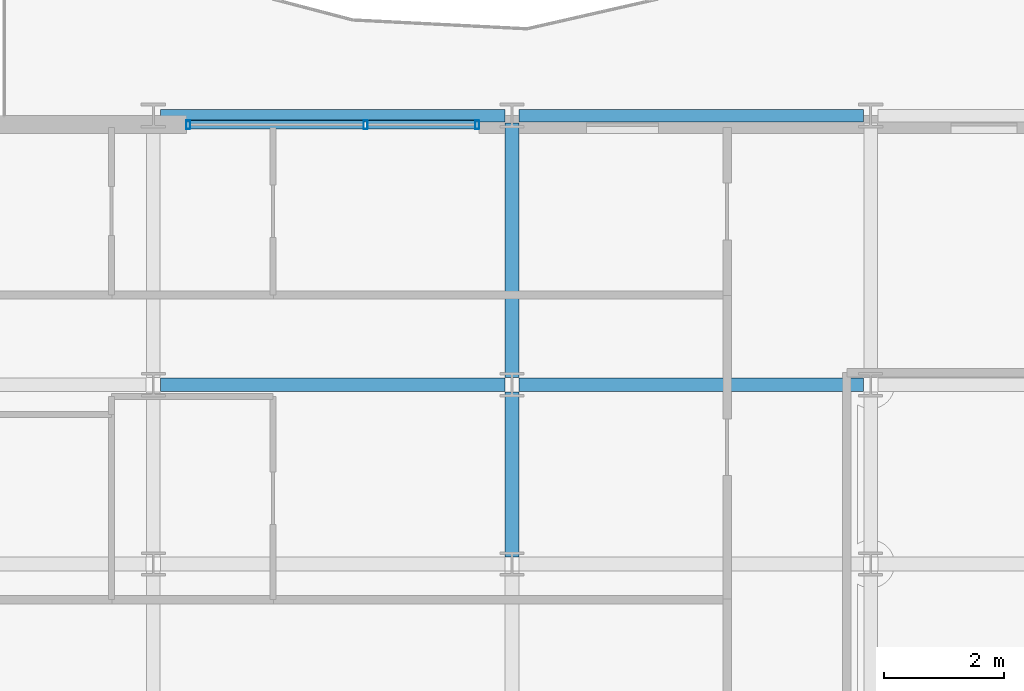
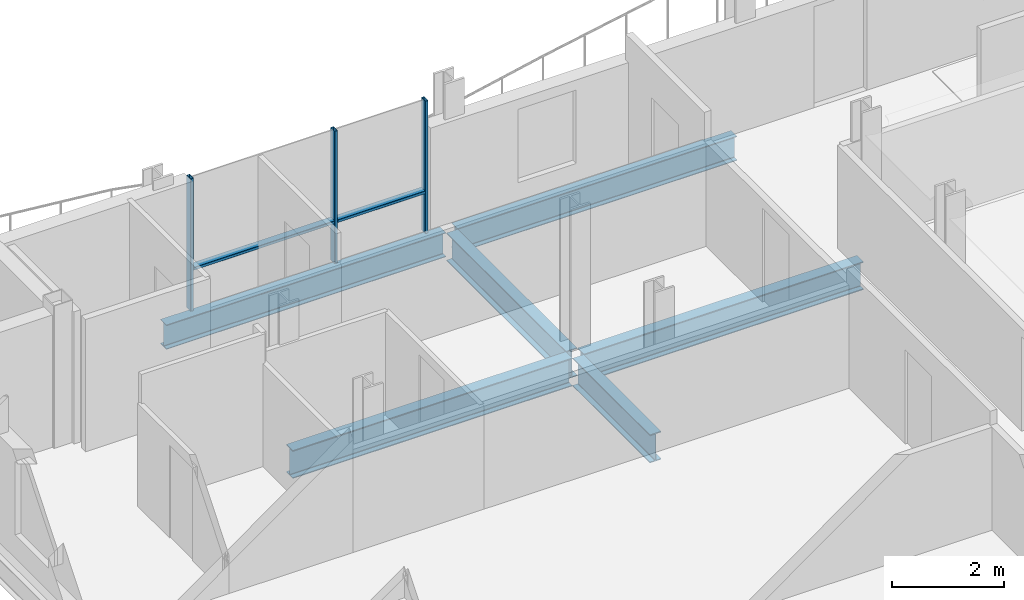
# One storey, part 9 of 39: 6 beams, 5 members, 1 element without a shape of its own.
"""IFC4 building model written with IfcOpenShell, lengths in metres."""

from ifc_helpers import new_model, si_unit, direction, frame, origin, origin_2d, place, context, subcontext, project, spatial, hollow_rectangle, i_section, extrude, material, layer, layer_set, material_profile, profile_set, type_object, element, aggregate, save


model = new_model("IFC4")

# Units and contexts
model_context = context("Model", 3, precision=1e-05, world=origin(), true_north=direction((0.0, 1.0)))
body_context = subcontext(model_context, "Body", "Model", "MODEL_VIEW")
ifc_project = project(units=[si_unit("LENGTHUNIT", "METRE"), si_unit("AREAUNIT", "SQUARE_METRE"), si_unit("VOLUMEUNIT", "CUBIC_METRE"), si_unit("PLANEANGLEUNIT", "RADIAN"), si_unit("MASSUNIT", "GRAM", prefix="KILO")], contexts=[model_context])

# Site, building, storey
site_placement = place(None, origin())
site = spatial("IfcSite", under=ifc_project, at=site_placement, CompositionType="ELEMENT")
building_placement = place(site_placement, origin())
building = spatial("IfcBuilding", under=site, at=building_placement, Name="Brevholm Reach", CompositionType="ELEMENT")
storey_placement = place(building_placement, frame((0.0, 0.0, 154.199951171875)))
storey = spatial("IfcBuildingStorey", under=building, at=storey_placement, Name="L46", CompositionType="ELEMENT", Elevation=154.199951171875)

# Beams
ifc_material_1 = material(Name="Structural Steel S355J2", Category="steel")
ifc_material_profile_1 = material_profile(ifc_material_1, i_section(OverallWidth=0.209228515625, OverallDepth=0.533203125, WebThickness=0.010009765625, FlangeThickness=0.015625, FilletRadius=0.0126953125, at=origin_2d()), Name="UKB 533x210x92")
ifc_profile_set_1 = profile_set([ifc_material_profile_1], Name="Structural Steel S355J2")
beam_type_1 = type_object("IfcBeamType", Name="BM-SP533", PredefinedType="SPANDREL", material=ifc_profile_set_1)
for number, where, z_axis, x_axis, name in (
    (1, (6.1201171875, 31.0, -0.486572265625), (1.0, 0.0, 0.0), (0.0, 1.0, 0.0), "L46 SP-02 Framing Beam"),
    (2, (12.1201171875, 31.0, -0.486572265625), (1.0, 0.0, 0.0), (0.0, 1.0, 0.0), "L46 SP-02 Framing Beam"),
):
    element("IfcBeam", number, at=place(storey_placement, frame(where, z_axis=z_axis, x_axis=x_axis)), inside=storey, type_object=beam_type_1, Name=name, PredefinedType="SPANDREL", context=body_context, shape_type="SweptSolid", body=[
        extrude(i_section(OverallWidth=0.209228515625, OverallDepth=0.533203125, WebThickness=0.010009765625, FlangeThickness=0.015625, FilletRadius=0.0126953125, at=origin_2d()), origin(), (0.0, 0.0, 1.0), 5.759765625),
    ])
ifc_material_2 = material(Name="Structural Steel S355J2", Category="steel")
ifc_material_profile_2 = material_profile(ifc_material_2, i_section(OverallWidth=0.22900390625, OverallDepth=0.6123046875, WebThickness=0.011962890625, FlangeThickness=0.01953125, FilletRadius=0.0126953125, at=origin_2d()), Name="UKB 610x229x125")
ifc_profile_set_2 = profile_set([ifc_material_profile_2], Name="Structural Steel S355J2")
beam_type_2 = type_object("IfcBeamType", Name="BM-SP610", PredefinedType="SPANDREL", material=ifc_profile_set_2)
for number, where, z_axis, x_axis, name in (
    (3, (6.1201171875, 26.5, -0.526123046875), (1.0, 0.0, 0.0), (0.0, 1.0, 0.0), "L46 SP-01 Framing Beam"),
    (4, (12.1201171875, 26.5, -0.526123046875), (1.0, 0.0, 0.0), (0.0, 1.0, 0.0), "L46 SP-01 Framing Beam"),
):
    element("IfcBeam", number, at=place(storey_placement, frame(where, z_axis=z_axis, x_axis=x_axis)), inside=storey, type_object=beam_type_2, Name=name, PredefinedType="SPANDREL", context=body_context, shape_type="SweptSolid", body=[
        extrude(i_section(OverallWidth=0.22900390625, OverallDepth=0.6123046875, WebThickness=0.011962890625, FlangeThickness=0.01953125, FilletRadius=0.0126953125, at=origin_2d()), origin(), (0.0, 0.0, 1.0), 5.759765625),
    ])
beam_1_placement = place(storey_placement, frame((12.0, 23.6201171875, -0.526123046875), z_axis=(0.0, 1.0, 0.0), x_axis=(-1.0, 0.0, 0.0)))
element("IfcBeam", 5, at=beam_1_placement, inside=storey, type_object=beam_type_2, Name="L46 SP-01 Framing Beam", PredefinedType="SPANDREL", context=body_context, shape_type="SweptSolid", body=[
    extrude(i_section(OverallWidth=0.22900390625, OverallDepth=0.6123046875, WebThickness=0.011962890625, FlangeThickness=0.01953125, FilletRadius=0.0126953125, at=origin_2d()), origin(), (0.0, 0.0, 1.0), 2.759765625),
])
beam_2_placement = place(storey_placement, frame((12.0, 26.6201171875, -0.526123046875), z_axis=(0.0, 1.0, 0.0), x_axis=(-1.0, 0.0, 0.0)))
element("IfcBeam", 6, at=beam_2_placement, inside=storey, type_object=beam_type_2, Name="L46 SP-01 Framing Beam", PredefinedType="SPANDREL", context=body_context, shape_type="SweptSolid", body=[
    extrude(i_section(OverallWidth=0.22900390625, OverallDepth=0.6123046875, WebThickness=0.011962890625, FlangeThickness=0.01953125, FilletRadius=0.0126953125, at=origin_2d()), origin(), (0.0, 0.0, 1.0), 4.259765625),
])

# Curtain wall, members
ifc_material_3 = material(Name="Dark Anodised Aluminium 6063-T6 and Solar-Control Glass", Category="aluminium")
ifc_layer = layer(ifc_material_3, 0.14990234375)
ifc_layer_set = layer_set([ifc_layer], Name="Dark Anodised Aluminium 6063-T6 and Solar-Control Glass")
curtain_wall_type = type_object("IfcCurtainWallType", Name="CW-01", PredefinedType="NOTDEFINED", material=ifc_layer_set)
curtain_wall_placement = place(storey_placement, origin())
curtain_wall = element("IfcCurtainWall", 7, at=curtain_wall_placement, inside=storey, type_object=curtain_wall_type, Name="L46 Curtain Wall CW-01", PredefinedType="NOTDEFINED")
ifc_material_4 = material(Name="Dark Anodised Aluminium 6063-T6", Category="aluminium")
ifc_material_profile_3 = material_profile(ifc_material_4, hollow_rectangle(XDim=0.06494140625, YDim=0.14990234375, WallThickness=0.0048828125, InnerFilletRadius=0.0048828125, OuterFilletRadius=0.010009765625, at=origin_2d()), Name="RHS 150x65x5")
ifc_profile_set_3 = profile_set([ifc_material_profile_3], Name="Dark Anodised Aluminium 6063-T6")
member_type_1 = type_object("IfcMemberType", Name="CWM-150", PredefinedType="MULLION", material=ifc_profile_set_3)
member_1_placement = place(storey_placement, frame((6.58251953125, 30.85009765625, 0.0), z_axis=(0.0, 0.0, 1.0), x_axis=(1.0, 0.0, 0.0)))
member_1 = element("IfcMember", 8, at=member_1_placement, type_object=member_type_1, Name="CM-150 Mullion 1", PredefinedType="MULLION", context=body_context, shape_type="SweptSolid", body=[
    extrude(hollow_rectangle(XDim=0.06494140625, YDim=0.14990234375, WallThickness=0.0048828125, InnerFilletRadius=0.0048828125, OuterFilletRadius=0.010009765625, at=origin_2d()), origin(), (0.0, 0.0, 1.0), 2.880126953125),
])
member_2_placement = place(storey_placement, frame((9.550048828125, 30.85009765625, 0.0), z_axis=(0.0, 0.0, 1.0), x_axis=(1.0, 0.0, 0.0)))
member_2 = element("IfcMember", 9, at=member_2_placement, type_object=member_type_1, Name="CM-150 Mullion 2", PredefinedType="MULLION", context=body_context, shape_type="SweptSolid", body=[
    extrude(hollow_rectangle(XDim=0.06494140625, YDim=0.14990234375, WallThickness=0.0048828125, InnerFilletRadius=0.0048828125, OuterFilletRadius=0.010009765625, at=origin_2d()), origin(), (0.0, 0.0, 1.0), 2.880126953125),
])
member_3_placement = place(storey_placement, frame((11.41748046875, 30.85009765625, 0.0), z_axis=(0.0, 0.0, 1.0), x_axis=(1.0, 0.0, 0.0)))
member_3 = element("IfcMember", 10, at=member_3_placement, type_object=member_type_1, Name="CM-150 Mullion 3", PredefinedType="MULLION", context=body_context, shape_type="SweptSolid", body=[
    extrude(hollow_rectangle(XDim=0.06494140625, YDim=0.14990234375, WallThickness=0.0048828125, InnerFilletRadius=0.0048828125, OuterFilletRadius=0.010009765625, at=origin_2d()), origin(), (0.0, 0.0, 1.0), 2.880126953125),
])
ifc_material_5 = material(Name="Dark Anodised Aluminium 6063-T6", Category="aluminium")
ifc_material_profile_4 = material_profile(ifc_material_5, hollow_rectangle(XDim=0.06494140625, YDim=0.14990234375, WallThickness=0.0048828125, InnerFilletRadius=0.0048828125, OuterFilletRadius=0.010009765625, at=origin_2d()), Name="RHS 150x65x5")
ifc_profile_set_4 = profile_set([ifc_material_profile_4], Name="Dark Anodised Aluminium 6063-T6")
member_type_2 = type_object("IfcMemberType", Name="CWT-150", PredefinedType="NOTDEFINED", material=ifc_profile_set_4)
member_4_placement = place(storey_placement, frame((6.614990234375, 30.85009765625, 0.900146484375), z_axis=(1.0, 0.0, 0.0), x_axis=(0.0, 0.0, 1.0)))
member_4 = element("IfcMember", 11, at=member_4_placement, type_object=member_type_2, Name="CT-150 Transom 1.1", ObjectType="TRANSOM", PredefinedType="USERDEFINED", context=body_context, shape_type="SweptSolid", body=[
    extrude(hollow_rectangle(XDim=0.06494140625, YDim=0.14990234375, WallThickness=0.0048828125, InnerFilletRadius=0.0048828125, OuterFilletRadius=0.010009765625, at=origin_2d()), origin(), (0.0, 0.0, 1.0), 2.902587890625),
])
member_5_placement = place(storey_placement, frame((9.58251953125, 30.85009765625, 0.900146484375), z_axis=(1.0, 0.0, 0.0), x_axis=(0.0, 0.0, 1.0)))
member_5 = element("IfcMember", 12, at=member_5_placement, type_object=member_type_2, Name="CT-150 Transom 2.1", ObjectType="TRANSOM", PredefinedType="USERDEFINED", context=body_context, shape_type="SweptSolid", body=[
    extrude(hollow_rectangle(XDim=0.06494140625, YDim=0.14990234375, WallThickness=0.0048828125, InnerFilletRadius=0.0048828125, OuterFilletRadius=0.010009765625, at=origin_2d()), origin(), (0.0, 0.0, 1.0), 1.802490234375),
])
aggregate(curtain_wall, [member_1, member_2, member_3, member_4, member_5])

save(model, "model.ifc")
